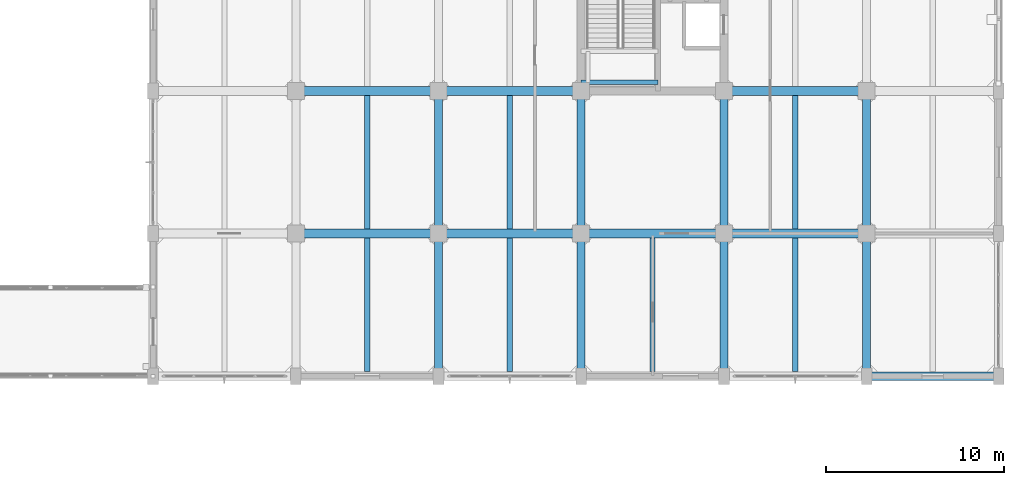
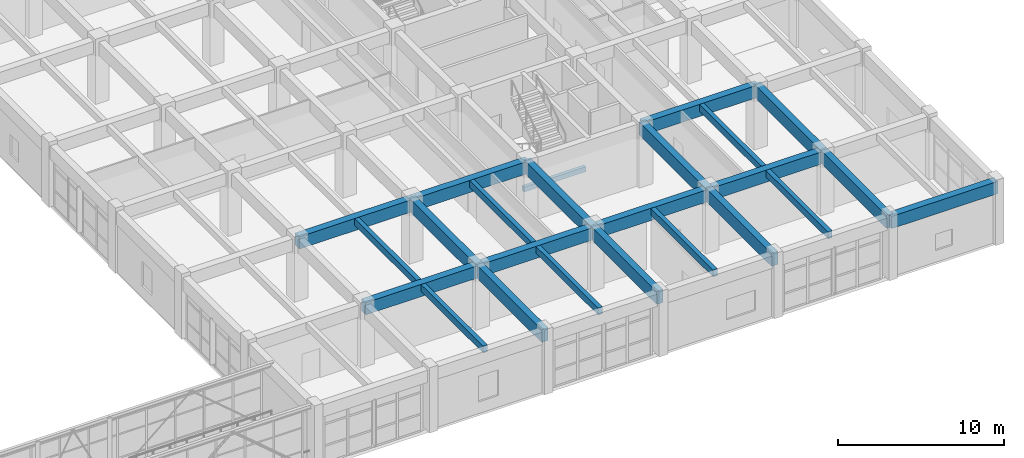
# One storey, part 188 of 248: 24 beams.
"""IFC4 building model written with IfcOpenShell, lengths in metres."""

from ifc_helpers import new_model, si_unit, direction, frame, origin, origin_2d, place, context, subcontext, project, spatial, rectangle, extrude, material, material_profile, profile_set, type_object, element, save


model = new_model("IFC4")

# Units and contexts
model_context = context("Model", 3, precision=1e-05, world=origin(), true_north=direction((0.0, 1.0)))
body_context = subcontext(model_context, "Body", "Model", "MODEL_VIEW")
ifc_project = project(units=[si_unit("LENGTHUNIT", "METRE"), si_unit("AREAUNIT", "SQUARE_METRE"), si_unit("VOLUMEUNIT", "CUBIC_METRE"), si_unit("PLANEANGLEUNIT", "RADIAN"), si_unit("MASSUNIT", "GRAM", prefix="KILO")], contexts=[model_context])

# Site, building, storey
site_placement = place(None, origin())
site = spatial("IfcSite", under=ifc_project, at=site_placement, CompositionType="ELEMENT")
building_placement = place(site_placement, origin())
building = spatial("IfcBuilding", under=site, at=building_placement, Name="Canggui Botanical Conservatory", CompositionType="ELEMENT")
storey_placement = place(building_placement, frame((0.0, 0.0, 5.39990234375)))
storey = spatial("IfcBuildingStorey", under=building, at=storey_placement, Name="L02", CompositionType="ELEMENT", Elevation=5.39990234375)

# Beams
ifc_material = material(Name="Concrete C35", Category="concrete")
ifc_material_profile_1 = material_profile(ifc_material, rectangle(XDim=0.300048828125, YDim=0.5, at=origin_2d()), Name="RB 300x500")
ifc_profile_set_1 = profile_set([ifc_material_profile_1], Name="Concrete C35")
beam_type_1 = type_object("IfcBeamType", Name="BM-JST02", PredefinedType="JOIST", material=ifc_profile_set_1)
for number, where, z_axis, x_axis, name in (
    (1, (142.0, 26.2548828125, 4.27001953125), (0.0, 1.0, 0.0), (-1.0, 0.0, 0.0), "Secondary Floor Joist L02-2-1"),
    (2, (142.0, 34.2548828125, 4.27001953125), (0.0, 1.0, 0.0), (-1.0, 0.0, 0.0), "Secondary Floor Joist L02-2-2"),
    (3, (150.0, 26.2548828125, 4.27001953125), (0.0, 1.0, 0.0), (-1.0, 0.0, 0.0), "Secondary Floor Joist L02-3-1"),
    (4, (150.0, 34.2548828125, 4.27001953125), (0.0, 1.0, 0.0), (-1.0, 0.0, 0.0), "Secondary Floor Joist L02-3-2"),
    (5, (158.0, 26.2548828125, 4.27001953125), (0.0, 1.0, 0.0), (-1.0, 0.0, 0.0), "Secondary Floor Joist L02-4-1"),
    (6, (166.0, 26.2548828125, 4.27001953125), (0.0, 1.0, 0.0), (-1.0, 0.0, 0.0), "Secondary Floor Joist L02-5-1"),
    (7, (166.0, 34.2548828125, 4.27001953125), (0.0, 1.0, 0.0), (-1.0, 0.0, 0.0), "Secondary Floor Joist L02-5-2"),
):
    element("IfcBeam", number, at=place(storey_placement, frame(where, z_axis=z_axis, x_axis=x_axis)), inside=storey, type_object=beam_type_1, Name=name, PredefinedType="JOIST", context=body_context, shape_type="SweptSolid", body=[
        extrude(rectangle(XDim=0.300048828125, YDim=0.5, at=origin_2d()), origin(), (0.0, 0.0, 1.0), 7.490234375),
    ])
ifc_material_profile_2 = material_profile(ifc_material, rectangle(XDim=0.5, YDim=0.89990234375, at=origin_2d()), Name="RB 500x900")
ifc_profile_set_2 = profile_set([ifc_material_profile_2], Name="Concrete C35")
beam_type_2 = type_object("IfcBeamType", Name="BM-KL03", PredefinedType="BEAM", material=ifc_profile_set_2)
beam_1_placement = place(storey_placement, frame((170.0, 26.0, 4.070068359375), z_axis=(1.0, 0.0, 0.0), x_axis=(0.0, 1.0, 0.0)))
element("IfcBeam", 8, at=beam_1_placement, inside=storey, type_object=beam_type_2, Name="Frame Girder L02 Y26-6", PredefinedType="BEAM", context=body_context, shape_type="SweptSolid", body=[
    extrude(rectangle(XDim=0.5, YDim=0.89990234375, at=origin_2d()), origin(), (0.0, 0.0, 1.0), 7.39990234375),
])
for number, where, z_axis, x_axis, name in (
    (9, (138.0, 34.0, 4.070068359375), (1.0, 0.0, 0.0), (0.0, 1.0, 0.0), "Frame Girder L02 Y34-2"),
    (10, (146.0, 34.0, 4.070068359375), (1.0, 0.0, 0.0), (0.0, 1.0, 0.0), "Frame Girder L02 Y34-3"),
    (11, (154.0, 34.0, 4.070068359375), (1.0, 0.0, 0.0), (0.0, 1.0, 0.0), "Frame Girder L02 Y34-4"),
    (12, (162.0, 34.0, 4.070068359375), (1.0, 0.0, 0.0), (0.0, 1.0, 0.0), "Frame Girder L02 Y34-5"),
    (13, (138.0, 42.0, 4.070068359375), (1.0, 0.0, 0.0), (0.0, 1.0, 0.0), "Frame Girder L02 Y42-2"),
    (14, (146.0, 42.0, 4.070068359375), (1.0, 0.0, 0.0), (0.0, 1.0, 0.0), "Frame Girder L02 Y42-3"),
    (15, (162.0, 42.0, 4.070068359375), (1.0, 0.0, 0.0), (0.0, 1.0, 0.0), "Frame Girder L02 Y42-5"),
):
    element("IfcBeam", number, at=place(storey_placement, frame(where, z_axis=z_axis, x_axis=x_axis)), inside=storey, type_object=beam_type_2, Name=name, PredefinedType="BEAM", context=body_context, shape_type="SweptSolid", body=[
        extrude(rectangle(XDim=0.5, YDim=0.89990234375, at=origin_2d()), origin(), (0.0, 0.0, 1.0), 8.0),
    ])
ifc_material_profile_3 = material_profile(ifc_material, rectangle(XDim=0.449951171875, YDim=0.949951171875, at=origin_2d()), Name="RB 450x950")
ifc_profile_set_3 = profile_set([ifc_material_profile_3], Name="Concrete C35")
beam_type_3 = type_object("IfcBeamType", Name="BM-KL04", PredefinedType="BEAM", material=ifc_profile_set_3)
for number, where, z_axis, x_axis, name in (
    (16, (146.0, 26.0, 4.045166015625), (0.0, 1.0, 0.0), (-1.0, 0.0, 0.0), "Frame Girder L02 X146-1"),
    (17, (146.0, 34.0, 4.045166015625), (0.0, 1.0, 0.0), (-1.0, 0.0, 0.0), "Frame Girder L02 X146-2"),
    (18, (154.0, 26.0, 4.045166015625), (0.0, 1.0, 0.0), (-1.0, 0.0, 0.0), "Frame Girder L02 X154-1"),
    (19, (154.0, 34.0, 4.045166015625), (0.0, 1.0, 0.0), (-1.0, 0.0, 0.0), "Frame Girder L02 X154-2"),
    (20, (162.0, 26.0, 4.045166015625), (0.0, 1.0, 0.0), (-1.0, 0.0, 0.0), "Frame Girder L02 X162-1"),
    (21, (162.0, 34.0, 4.045166015625), (0.0, 1.0, 0.0), (-1.0, 0.0, 0.0), "Frame Girder L02 X162-2"),
    (22, (170.0, 26.0, 4.045166015625), (0.0, 1.0, 0.0), (-1.0, 0.0, 0.0), "Frame Girder L02 X170-1"),
    (23, (170.0, 34.0, 4.045166015625), (0.0, 1.0, 0.0), (-1.0, 0.0, 0.0), "Frame Girder L02 X170-2"),
):
    element("IfcBeam", number, at=place(storey_placement, frame(where, z_axis=z_axis, x_axis=x_axis)), inside=storey, type_object=beam_type_3, Name=name, PredefinedType="BEAM", context=body_context, shape_type="SweptSolid", body=[
        extrude(rectangle(XDim=0.449951171875, YDim=0.949951171875, at=origin_2d()), origin(), (0.0, 0.0, 1.0), 8.0),
    ])
ifc_material_profile_4 = material_profile(ifc_material, rectangle(XDim=0.239990234375, YDim=0.360107421875, at=origin_2d()), Name="RB 240x360")
ifc_profile_set_4 = profile_set([ifc_material_profile_4], Name="Concrete C35")
beam_type_4 = type_object("IfcBeamType", Name="BM-LIN01", PredefinedType="LINTEL", material=ifc_profile_set_4)
beam_2_placement = place(storey_placement, frame((154.0, 42.47998046875, 2.02001953125), z_axis=(1.0, 0.0, 0.0), x_axis=(0.0, 1.0, 0.0)))
element("IfcBeam", 24, at=beam_2_placement, inside=storey, type_object=beam_type_4, Name="ST-T1 Half-Landing Ledger Beam L02-1.1", PredefinedType="LINTEL", context=body_context, shape_type="SweptSolid", body=[
    extrude(rectangle(XDim=0.239990234375, YDim=0.360107421875, at=origin_2d()), origin(), (0.0, 0.0, 1.0), 4.300048828125),
])

save(model, "model.ifc")
